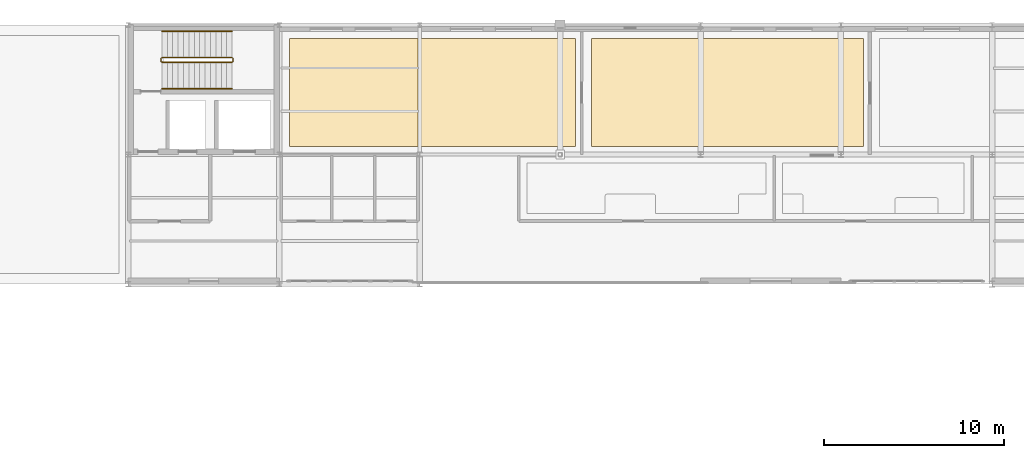
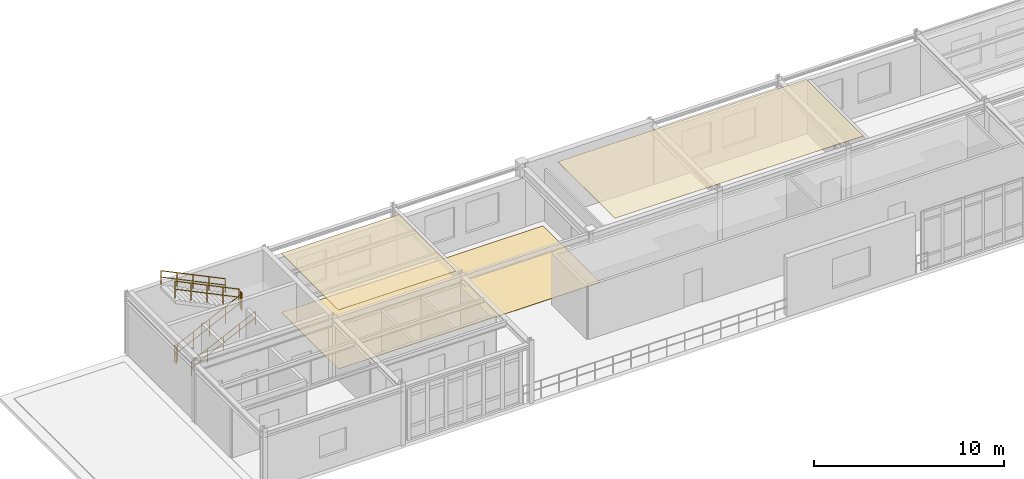
# One storey, part 19 of 20: 6 railings, 3 coverings.
"""IFC4 building model written with IfcOpenShell, lengths in metres."""

from ifc_helpers import new_model, si_unit, derived_unit, direction, frame, origin, origin_2d, place, context, subcontext, project, spatial, polyline, circle, outline, extrude, material, layer, layer_set, type_object, element, save


model = new_model("IFC4")

# Units and contexts
model_context = context("Model", 3, precision=1e-05, world=origin(), true_north=direction((0.0, 1.0)))
body_context = subcontext(model_context, "Body", "Model", "MODEL_VIEW")
ifc_project = project(units=[si_unit("LENGTHUNIT", "METRE"), si_unit("AREAUNIT", "SQUARE_METRE"), si_unit("VOLUMEUNIT", "CUBIC_METRE"), si_unit("PLANEANGLEUNIT", "RADIAN"), si_unit("MASSUNIT", "GRAM", prefix="KILO"), derived_unit("THERMALTRANSMITTANCEUNIT", [(si_unit("POWERUNIT", "WATT"), 1), (si_unit("AREAUNIT", "SQUARE_METRE"), -1), (si_unit("THERMODYNAMICTEMPERATUREUNIT", "KELVIN"), -1)])], contexts=[model_context])

# Site, building, storey
site_placement = place(None, origin())
site = spatial("IfcSite", under=ifc_project, at=site_placement, CompositionType="ELEMENT")
building_placement = place(site_placement, origin())
building = spatial("IfcBuilding", under=site, at=building_placement, Name="Yasenodar Specialist Clinic", CompositionType="ELEMENT")
storey_placement = place(building_placement, frame((0.0, 0.0, 25.35009765625)))
storey = spatial("IfcBuildingStorey", under=building, at=storey_placement, Name="L06", CompositionType="ELEMENT", Elevation=25.35009765625)

# Coverings
ifc_material_1 = material(Name="Hygienic Acoustic Mineral-Fibre Ceiling")
ifc_layer_1 = layer(ifc_material_1, 0.02490234375)
ifc_layer_set_1 = layer_set([ifc_layer_1], Name="Hygienic Acoustic Mineral-Fibre Ceiling")
covering_type_1 = type_object("IfcCoveringType", Name="COV-CEIL-AC", PredefinedType="CEILING", material=ifc_layer_set_1)
covering_1_placement = place(storey_placement, frame((0.0, 0.0, 3.784912109375)))
element("IfcCovering", 1, at=covering_1_placement, inside=storey, type_object=covering_type_1, Name="L06 Translational Oncology Research Lab Acoustic Ceiling", PredefinedType="CEILING", context=body_context, shape_type="SweptSolid", body=[
    extrude(outline(polyline([(65.949951171875, 104.85009765625), (65.949951171875, 110.85009765625), (73.10009765625, 110.85009765625), (73.10009765625, 104.85009765625), (65.949951171875, 104.85009765625)])), origin(), (0.0, 0.0, 1.0), 0.02490234375),
])
covering_2_placement = place(storey_placement, frame((0.0, 0.0, 3.7998046875)))
element("IfcCovering", 2, at=covering_2_placement, inside=storey, type_object=covering_type_1, Name="L06 Biostatistics Clinical Trials Suite Acoustic Ceiling", PredefinedType="CEILING", context=body_context, shape_type="SweptSolid", body=[
    extrude(outline(polyline([(97.85009765625, 104.85009765625), (82.75, 104.85009765625), (82.75, 110.85009765625), (97.85009765625, 110.85009765625), (97.85009765625, 104.85009765625)])), origin(), (0.0, 0.0, 1.0), 0.025146484375),
])
ifc_material_2 = material(Name="Seamless Epoxy Terrazzo Clinical Flooring")
ifc_layer_2 = layer(ifc_material_2, 0.02001953125)
ifc_layer_set_2 = layer_set([ifc_layer_2], Name="Seamless Epoxy Terrazzo Clinical Flooring")
covering_type_2 = type_object("IfcCoveringType", Name="COV-FLR-TERR", PredefinedType="FLOORING", material=ifc_layer_set_2)
covering_3_placement = place(storey_placement, origin())
element("IfcCovering", 3, at=covering_3_placement, inside=storey, type_object=covering_type_2, Name="L06 Translational Oncology Research Lab Terrazzo Flooring", PredefinedType="FLOORING", context=body_context, shape_type="SweptSolid", body=[
    extrude(outline(polyline([(81.85009765625, 104.85009765625), (65.949951171875, 104.85009765625), (65.949951171875, 110.85009765625), (81.85009765625, 110.85009765625), (81.85009765625, 104.85009765625)])), origin(), (0.0, 0.0, 1.0), 0.02001953125),
])

# Railings
ifc_material_3 = material(Name="Steel S355 Painted Stair Guardrail", Category="steel")
railing_type_1 = type_object("IfcRailingType", Name="RL-ST-GRD", PredefinedType="GUARDRAIL", material=ifc_material_3)
railing_1_placement = place(storey_placement, frame((58.8701171875, 109.530029296875, 0.14453125)))
element("IfcRailing", 4, at=railing_1_placement, inside=storey, type_object=railing_type_1, Name="L06 ST-04 stair guard 1", PredefinedType="GUARDRAIL", context=body_context, shape_type="SweptSolid", body=[
    extrude(circle(Radius=0.02392578125, at=origin_2d()), frame((0.0, 0.0, 1.09619140625), z_axis=(0.900763166376, 0.0, 0.434310623978), x_axis=(0.0, 1.0, 0.0)), (0.0, 0.0, 1.0), 4.32958984375),
    extrude(circle(Radius=0.02392578125, at=origin_2d()), frame((0.0, 0.0, 0.58251953125), z_axis=(0.900763166376, 0.0, 0.434310623978), x_axis=(0.0, 1.0, 0.0)), (0.0, 0.0, 1.0), 4.32958984375),
    extrude(circle(Radius=0.02099609375, at=origin_2d()), origin(), (0.0, 0.0, 1.0), 1.072021484375),
    extrude(circle(Radius=0.02099609375, at=origin_2d()), frame((0.97509765625, 0.0, 0.47021484375)), (0.0, 0.0, 1.0), 1.072021484375),
    extrude(circle(Radius=0.02099609375, at=origin_2d()), frame((1.949951171875, 0.0, 0.940185546875)), (0.0, 0.0, 1.0), 1.072021484375),
    extrude(circle(Radius=0.02099609375, at=origin_2d()), frame((2.9248046875, 0.0, 1.41015625)), (0.0, 0.0, 1.0), 1.072021484375),
    extrude(circle(Radius=0.02099609375, at=origin_2d()), frame((3.89990234375, 0.0, 1.88037109375)), (0.0, 0.0, 1.0), 1.072021484375),
])
railing_2_placement = place(storey_placement, frame((62.820068359375, 109.580078125, 2.02490234375)))
element("IfcRailing", 5, at=railing_2_placement, inside=storey, type_object=railing_type_1, Name="L06 ST-04 stair guard 2", PredefinedType="GUARDRAIL", context=body_context, shape_type="SweptSolid", body=[
    extrude(circle(Radius=0.02392578125, at=origin_2d()), frame((0.0, 0.0, 1.09619140625), z_axis=(0.0, 1.0, 0.0), x_axis=(-1.0, 0.0, 0.0)), (0.0, 0.0, 1.0), 0.159912109375),
    extrude(circle(Radius=0.02392578125, at=origin_2d()), frame((0.0, 0.0, 0.58251953125), z_axis=(0.0, 1.0, 0.0), x_axis=(-1.0, 0.0, 0.0)), (0.0, 0.0, 1.0), 0.159912109375),
    extrude(circle(Radius=0.02099609375, at=origin_2d()), origin(), (0.0, 0.0, 1.0), 1.072021484375),
    extrude(circle(Radius=0.02099609375, at=origin_2d()), frame((0.0, 0.159912109375, 0.0)), (0.0, 0.0, 1.0), 1.072021484375),
])
railing_3_placement = place(storey_placement, frame((62.77001953125, 109.7900390625, 2.16943359375)))
element("IfcRailing", 6, at=railing_3_placement, inside=storey, type_object=railing_type_1, Name="L06 ST-04 stair guard 3", PredefinedType="GUARDRAIL", context=body_context, shape_type="SweptSolid", body=[
    extrude(circle(Radius=0.02392578125, at=origin_2d()), frame((0.0, 0.0, 1.09619140625), z_axis=(-0.900763166376, 0.0, 0.434310623978), x_axis=(0.0, -1.0, 0.0)), (0.0, 0.0, 1.0), 4.32958984375),
    extrude(circle(Radius=0.02392578125, at=origin_2d()), frame((0.0, 0.0, 0.58251953125), z_axis=(-0.900763166376, 0.0, 0.434310623978), x_axis=(0.0, -1.0, 0.0)), (0.0, 0.0, 1.0), 4.32958984375),
    extrude(circle(Radius=0.02099609375, at=origin_2d()), origin(), (0.0, 0.0, 1.0), 1.072021484375),
    extrude(circle(Radius=0.02099609375, at=origin_2d()), frame((-0.97509765625, 0.0, 0.47021484375)), (0.0, 0.0, 1.0), 1.072021484375),
    extrude(circle(Radius=0.02099609375, at=origin_2d()), frame((-1.949951171875, 0.0, 0.940185546875)), (0.0, 0.0, 1.0), 1.072021484375),
    extrude(circle(Radius=0.02099609375, at=origin_2d()), frame((-2.9248046875, 0.0, 1.41015625)), (0.0, 0.0, 1.0), 1.072021484375),
    extrude(circle(Radius=0.02099609375, at=origin_2d()), frame((-3.89990234375, 0.0, 1.88037109375)), (0.0, 0.0, 1.0), 1.072021484375),
])
railing_4_placement = place(storey_placement, frame((58.820068359375, 109.580078125, 0.0)))
element("IfcRailing", 7, at=railing_4_placement, inside=storey, type_object=railing_type_1, Name="L06 ST-04 stair guard 4", PredefinedType="GUARDRAIL", context=body_context, shape_type="SweptSolid", body=[
    extrude(circle(Radius=0.02392578125, at=origin_2d()), frame((0.0, 0.0, 1.09619140625), z_axis=(0.0, 1.0, 0.0), x_axis=(-1.0, 0.0, 0.0)), (0.0, 0.0, 1.0), 0.159912109375),
    extrude(circle(Radius=0.02392578125, at=origin_2d()), frame((0.0, 0.0, 0.58251953125), z_axis=(0.0, 1.0, 0.0), x_axis=(-1.0, 0.0, 0.0)), (0.0, 0.0, 1.0), 0.159912109375),
    extrude(circle(Radius=0.02099609375, at=origin_2d()), origin(), (0.0, 0.0, 1.0), 1.072021484375),
    extrude(circle(Radius=0.02099609375, at=origin_2d()), frame((0.0, 0.159912109375, 0.0)), (0.0, 0.0, 1.0), 1.072021484375),
])
ifc_material_4 = material(Name="Brushed Stainless Steel Handrail", Category="steel")
railing_type_2 = type_object("IfcRailingType", Name="RL-ST-HND", PredefinedType="HANDRAIL", material=ifc_material_4)
railing_5_placement = place(storey_placement, frame((58.8701171875, 108.06005859375, 0.14453125)))
element("IfcRailing", 8, at=railing_5_placement, inside=storey, type_object=railing_type_2, Name="L06 ST-04 stair handrail 1", PredefinedType="HANDRAIL", context=body_context, shape_type="SweptSolid", body=[
    extrude(circle(Radius=0.02392578125, at=origin_2d()), frame((0.0, 0.0, 0.8759765625), z_axis=(0.900763166376, 0.0, 0.434310623978), x_axis=(0.0, 1.0, 0.0)), (0.0, 0.0, 1.0), 4.32958984375),
    extrude(circle(Radius=0.02392578125, at=origin_2d()), frame((0.0, 0.0, 0.468017578125), z_axis=(0.900763166376, 0.0, 0.434310623978), x_axis=(0.0, 1.0, 0.0)), (0.0, 0.0, 1.0), 4.32958984375),
    extrude(circle(Radius=0.02099609375, at=origin_2d()), origin(), (0.0, 0.0, 1.0), 0.851806640625),
    extrude(circle(Radius=0.02099609375, at=origin_2d()), frame((0.97509765625, 0.0, 0.47021484375)), (0.0, 0.0, 1.0), 0.851806640625),
    extrude(circle(Radius=0.02099609375, at=origin_2d()), frame((1.949951171875, 0.0, 0.940185546875)), (0.0, 0.0, 1.0), 0.851806640625),
    extrude(circle(Radius=0.02099609375, at=origin_2d()), frame((2.9248046875, 0.0, 1.41015625)), (0.0, 0.0, 1.0), 0.851806640625),
    extrude(circle(Radius=0.02099609375, at=origin_2d()), frame((3.89990234375, 0.0, 1.88037109375)), (0.0, 0.0, 1.0), 0.851806640625),
])
railing_6_placement = place(storey_placement, frame((62.77001953125, 111.260009765625, 2.16943359375)))
element("IfcRailing", 9, at=railing_6_placement, inside=storey, type_object=railing_type_2, Name="L06 ST-04 stair handrail 2", PredefinedType="HANDRAIL", context=body_context, shape_type="SweptSolid", body=[
    extrude(circle(Radius=0.02392578125, at=origin_2d()), frame((0.0, 0.0, 0.8759765625), z_axis=(-0.900763166376, 0.0, 0.434310623978), x_axis=(0.0, -1.0, 0.0)), (0.0, 0.0, 1.0), 4.32958984375),
    extrude(circle(Radius=0.02392578125, at=origin_2d()), frame((0.0, 0.0, 0.468017578125), z_axis=(-0.900763166376, 0.0, 0.434310623978), x_axis=(0.0, -1.0, 0.0)), (0.0, 0.0, 1.0), 4.32958984375),
    extrude(circle(Radius=0.02099609375, at=origin_2d()), origin(), (0.0, 0.0, 1.0), 0.851806640625),
    extrude(circle(Radius=0.02099609375, at=origin_2d()), frame((-0.97509765625, 0.0, 0.47021484375)), (0.0, 0.0, 1.0), 0.851806640625),
    extrude(circle(Radius=0.02099609375, at=origin_2d()), frame((-1.949951171875, 0.0, 0.940185546875)), (0.0, 0.0, 1.0), 0.851806640625),
    extrude(circle(Radius=0.02099609375, at=origin_2d()), frame((-2.9248046875, 0.0, 1.41015625)), (0.0, 0.0, 1.0), 0.851806640625),
    extrude(circle(Radius=0.02099609375, at=origin_2d()), frame((-3.89990234375, 0.0, 1.88037109375)), (0.0, 0.0, 1.0), 0.851806640625),
])

save(model, "model.ifc")
